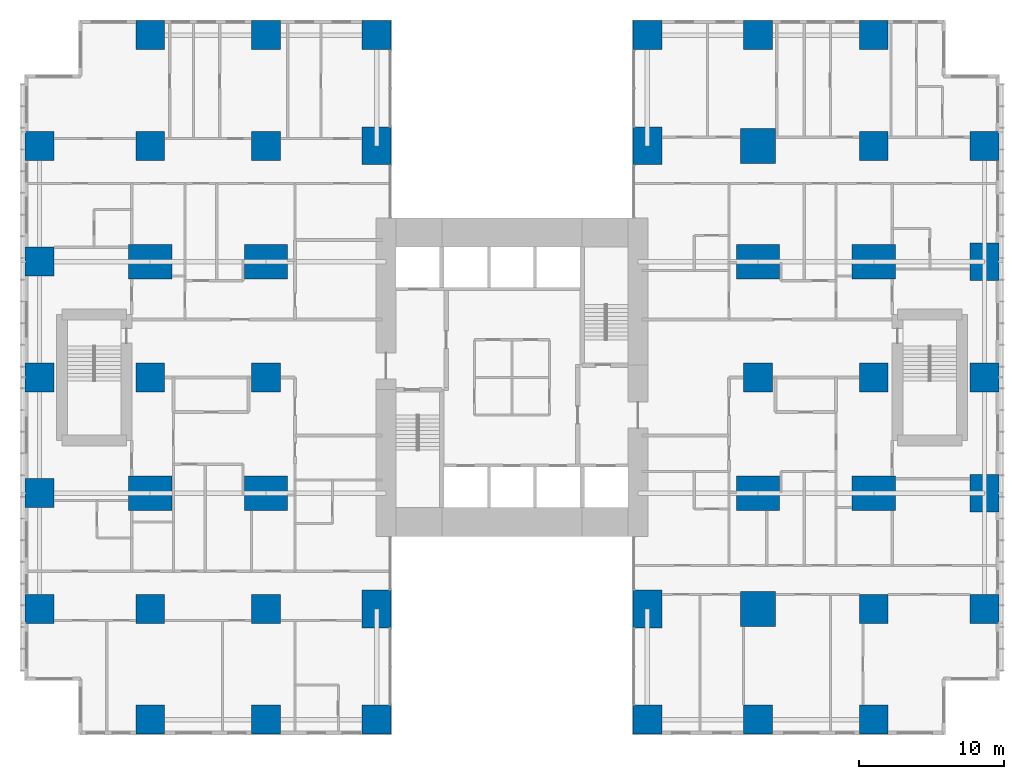
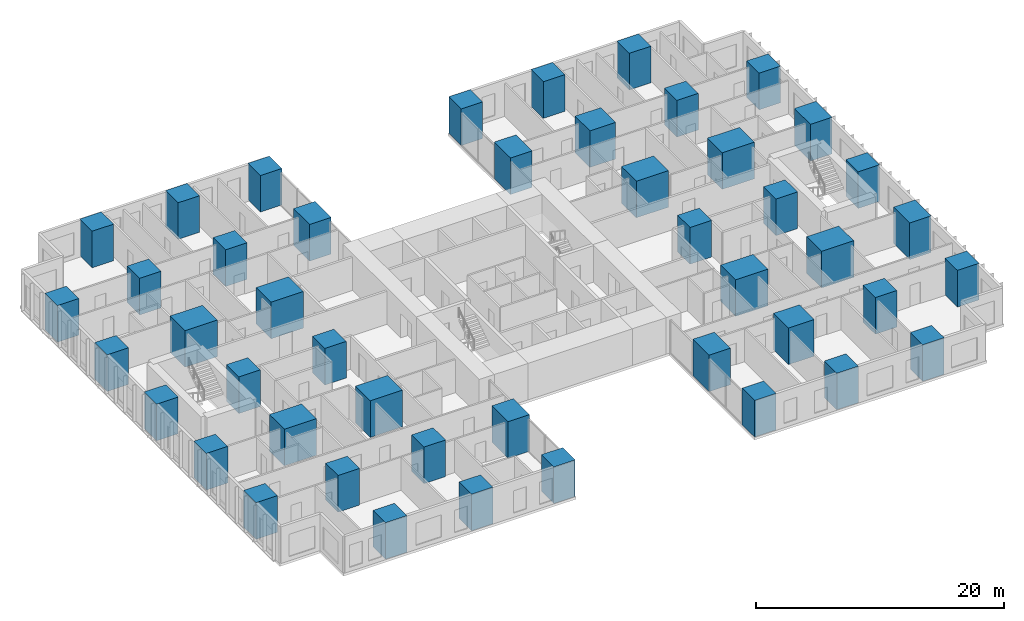
# One storey, part 1 of 20: 46 columns.
"""IFC4 building model written with IfcOpenShell, lengths in metres."""

import ifcopenshell
import ifcopenshell.guid

model = None  # the IFC model being written
_history = None  # IfcOwnerHistory: only IFC2X3 demands one
_inside = {}  # id of a spatial element -> (the spatial element, [elements in it])
_under = {}  # id of a project, library or spatial element -> (it, [spatial elements below it])
_declared = {}  # id of a project -> (the project, [libraries it declares])
_typed = {}  # id of a type object -> (the type object, [elements of that type])
_made_of = {}  # id of a material, layer set ... -> (it, [elements and type objects made of it])


def new_model(schema):
    """Start an empty IFC model of exactly this schema.

    Asked for "IFC4X3", IfcOpenShell would pick the latest addendum, in which some entities
    have other attributes; the version numbers below select the first issue.
    IFC2X3 requires an IfcOwnerHistory on every rooted entity: one is made here for all.
    """
    global model, _history
    if schema == "IFC4X3":
        model = ifcopenshell.file(schema_version=(4, 3, 0, 0))
    else:
        model = ifcopenshell.file(schema=schema)
    _inside.clear()
    _under.clear()
    _declared.clear()
    _typed.clear()
    _made_of.clear()
    _history = None
    if model.schema == "IFC2X3":
        org = make("IfcOrganization", Name="unknown")
        user = make(
            "IfcPersonAndOrganization",
            ThePerson=make("IfcPerson", FamilyName="unknown"),
            TheOrganization=org,
        )
        app = make(
            "IfcApplication",
            ApplicationDeveloper=org,
            Version="unknown",
            ApplicationFullName="unknown",
            ApplicationIdentifier="unknown",
        )
        _history = make(
            "IfcOwnerHistory",
            OwningUser=user,
            OwningApplication=app,
            ChangeAction="ADDED",
            CreationDate=0,
        )
    return model


def make(cls, **values):
    """One entity of the class cls with the attributes given. An attribute that is None is left unset."""
    return model.create_entity(
        cls, **{name: value for name, value in values.items() if value is not None}
    )


def rooted(cls, **values):
    """An entity with a GlobalId (a new one), such as an element, a storey or a relation."""
    return make(cls, GlobalId=ifcopenshell.guid.new(), OwnerHistory=_history, **values)


def si_unit(unit_type, name, prefix=None):
    """IfcSIUnit, for example si_unit("LENGTHUNIT", "METRE", prefix="MILLI")."""
    return make("IfcSIUnit", UnitType=unit_type, Prefix=prefix, Name=name)


def assignment(units):
    """IfcUnitAssignment: the units of a project."""
    return None if units is None else make("IfcUnitAssignment", Units=units)


def point(xyz):
    """IfcCartesianPoint."""
    return None if xyz is None else make("IfcCartesianPoint", Coordinates=xyz)


def direction(xyz):
    """IfcDirection."""
    return None if xyz is None else make("IfcDirection", DirectionRatios=xyz)


def frame(location, z_axis=None, x_axis=None):
    """IfcAxis2Placement3D, a coordinate frame: its origin and axes. An axis left out is left unset."""
    return make(
        "IfcAxis2Placement3D",
        Location=point(location),
        Axis=direction(z_axis),
        RefDirection=direction(x_axis),
    )


def frame_2d(location, x_axis=None):
    """IfcAxis2Placement2D, a coordinate frame in the plane: its origin and x axis."""
    return make(
        "IfcAxis2Placement2D", Location=point(location), RefDirection=direction(x_axis)
    )


def origin():
    """The frame at (0, 0, 0) with its axes left unset."""
    return frame((0.0, 0.0, 0.0))


def origin_2d():
    """The frame at (0, 0) in the plane with its x axis left unset."""
    return frame_2d((0.0, 0.0))


def place(relative_to, where):
    """IfcLocalPlacement: puts the frame where relative to a parent placement (None: the world)."""
    return make(
        "IfcLocalPlacement", PlacementRelTo=relative_to, RelativePlacement=where
    )


def context(
    kind, dimensions, precision=None, world=None, true_north=None, identifier=None
):
    """IfcGeometricRepresentationContext, for example the 3D "Model" context."""
    return make(
        "IfcGeometricRepresentationContext",
        ContextIdentifier=identifier,
        ContextType=kind,
        CoordinateSpaceDimension=dimensions,
        Precision=precision,
        WorldCoordinateSystem=world,
        TrueNorth=true_north,
    )


def subcontext(parent, identifier, kind, view, scale=None):
    """IfcGeometricRepresentationSubContext, for example "Body" below "Model"."""
    return make(
        "IfcGeometricRepresentationSubContext",
        ContextIdentifier=identifier,
        ContextType=kind,
        ParentContext=parent,
        TargetScale=scale,
        TargetView=view,
    )


def project(units=None, contexts=None):
    """IfcProject with its units and contexts."""
    return rooted(
        "IfcProject",
        Name="project",
        RepresentationContexts=contexts,
        UnitsInContext=assignment(units),
    )


def spatial(cls, under=None, at=None, **own):
    """A site, building, storey or space (cls), placed at a placement, below another one or the project."""
    s = rooted(cls, ObjectPlacement=at, **own)
    if under is not None:
        _under.setdefault(under.id(), (under, []))[1].append(s)
    return s


def profile(cls, at=None, kind="AREA", **sizes):
    """A parametric profile (cls). Its sizes go by their IFC names, for example OverallWidth=200.0."""
    return make(cls, ProfileType=kind, Position=at, **sizes)


def rectangle(**sizes):
    """IfcRectangleProfileDef."""
    return profile("IfcRectangleProfileDef", **sizes)


def extrude(swept, where, along, depth):
    """IfcExtrudedAreaSolid: the profile swept, set in the frame where, extruded along a direction by depth."""
    return make(
        "IfcExtrudedAreaSolid",
        SweptArea=swept,
        Position=where,
        ExtrudedDirection=direction(along),
        Depth=depth,
    )


def shape(context_of_items, identifier, shape_type, items):
    """IfcShapeRepresentation: the items that make up one representation, for example the "Body"."""
    return make(
        "IfcShapeRepresentation",
        ContextOfItems=context_of_items,
        RepresentationIdentifier=identifier,
        RepresentationType=shape_type,
        Items=items,
    )


def material(Name=None, Category=None):
    """IfcMaterial."""
    return make("IfcMaterial", Name=Name, Category=Category)


def material_profile(
    of_material, cross_section, Name=None, Category=None, Priority=None
):
    """IfcMaterialProfile: a cross section and its material."""
    return make(
        "IfcMaterialProfile",
        Name=Name,
        Material=of_material,
        Profile=cross_section,
        Priority=Priority,
        Category=Category,
    )


def profile_set(profiles, Name=None, composite=None):
    """IfcMaterialProfileSet."""
    return make(
        "IfcMaterialProfileSet",
        Name=Name,
        MaterialProfiles=profiles,
        CompositeProfile=composite,
    )


def made_of(thing, what):
    """Note that an element or type object is made of a material, layer set ...; save() writes the relation."""
    if what is not None:
        _made_of.setdefault(what.id(), (what, []))[1].append(thing)
    return thing


def type_object(cls, material=None, **own):
    """A type object (cls), such as IfcWallType, which elements share."""
    return made_of(rooted(cls, **own), material)


def element(
    cls,
    number,
    at=None,
    inside=None,
    cuts=None,
    type_object=None,
    material=None,
    context=None,
    identifier="Body",
    shape_type=None,
    held_by="IfcProductDefinitionShape",
    body=None,
    shapes=None,
    **own,
):
    """One element of the class cls, such as IfcWall. Its Tag is "e" and its number.

    at: its placement. inside: the storey or other place that contains it. cuts: it is an
    opening in that element (IfcRelVoidsElement). A single representation is given by context,
    identifier, shape_type and body (its items); several are given by shapes. held_by: the class
    of the entity that holds the representations. save() writes the other relations.
    """
    e = rooted(cls, Tag="e%d" % number, ObjectPlacement=at, **own)
    if body is not None:
        shapes = [shape(context, identifier, shape_type, body)]
    if shapes is not None:
        e.Representation = make(held_by, Representations=shapes)
    if inside is not None:
        _inside.setdefault(inside.id(), (inside, []))[1].append(e)
    if cuts is not None:
        rooted(
            "IfcRelVoidsElement", RelatingBuildingElement=cuts, RelatedOpeningElement=e
        )
    if type_object is not None:
        _typed.setdefault(type_object.id(), (type_object, []))[1].append(e)
    return made_of(e, material)


def aggregate(whole, parts):
    """IfcRelAggregates: a whole, such as a stair, and the parts it consists of."""
    return rooted("IfcRelAggregates", RelatingObject=whole, RelatedObjects=parts)


def save(model, path):
    """Write the relations noted so far, then the file.

    IfcRelAggregates (storeys below a building ...), IfcRelContainedInSpatialStructure (elements
    in a storey), IfcRelDefinesByType, IfcRelAssociatesMaterial and IfcRelDeclares: one each for
    every whole, place, type object, material and project.
    """
    for whole, parts in _under.values():
        aggregate(whole, parts)
    for where, things in _inside.values():
        rooted(
            "IfcRelContainedInSpatialStructure",
            RelatedElements=things,
            RelatingStructure=where,
        )
    for kind, things in _typed.values():
        rooted("IfcRelDefinesByType", RelatedObjects=things, RelatingType=kind)
    for what, things in _made_of.values():
        rooted("IfcRelAssociatesMaterial", RelatedObjects=things, RelatingMaterial=what)
    for by, libraries in _declared.values():
        rooted("IfcRelDeclares", RelatingContext=by, RelatedDefinitions=libraries)
    model.write(path)


model = new_model("IFC4")

# Units and contexts
model_context = context("Model", 3, precision=1e-05, world=origin(), true_north=direction((0.0, 1.0)))
body_context = subcontext(model_context, "Body", "Model", "MODEL_VIEW")
ifc_project = project(units=[si_unit("LENGTHUNIT", "METRE"), si_unit("AREAUNIT", "SQUARE_METRE"), si_unit("VOLUMEUNIT", "CUBIC_METRE"), si_unit("PLANEANGLEUNIT", "RADIAN"), si_unit("MASSUNIT", "GRAM", prefix="KILO")], contexts=[model_context])

# Site, building, storey
site_placement = place(None, origin())
site = spatial("IfcSite", under=ifc_project, at=site_placement, CompositionType="ELEMENT")
building_placement = place(site_placement, origin())
building = spatial("IfcBuilding", under=site, at=building_placement, Name="Cleftline Residences", CompositionType="ELEMENT")
storey_placement = place(building_placement, frame((0.0, 0.0, 168.199951171875)))
storey = spatial("IfcBuildingStorey", under=building, at=storey_placement, Name="L44", CompositionType="ELEMENT", Elevation=168.199951171875)

# Columns
ifc_material_1 = material(Name="Concrete B70", Category="concrete")
ifc_material_profile_1 = material_profile(ifc_material_1, rectangle(XDim=2.0, YDim=2.0, at=origin_2d()))
ifc_profile_set_1 = profile_set([ifc_material_profile_1], Name="Concrete B70")
column_type_1 = type_object("IfcColumnType", Name="COLUMN RC2000X2000", PredefinedType="COLUMN", material=ifc_profile_set_1)
for number, where, z_axis, x_axis, name in (
    (1, (0.35009765625, 8.0, 0.0), (0.0, 0.0, 1.0), (1.0, 0.0, 0.0), "Column D/3"),
    (2, (0.35009765625, 16.0, 0.0), (0.0, 0.0, 1.0), (1.0, 0.0, 0.0), "Column E/3"),
    (3, (0.35009765625, 24.0, 0.0), (0.0, 0.0, 1.0), (1.0, 0.0, 0.0), "Column F/3"),
    (4, (0.35009765625, 32.0, 0.0), (0.0, 0.0, 1.0), (1.0, 0.0, 0.0), "Column G/3"),
    (5, (0.35009765625, 40.0, 0.0), (0.0, 0.0, 1.0), (1.0, 0.0, 0.0), "Column H/3"),
    (6, (8.0, 0.35009765625, 0.0), (0.0, 0.0, 1.0), (1.0, 0.0, 0.0), "Column C/4"),
    (7, (8.0, 8.0, 0.0), (0.0, 0.0, 1.0), (1.0, 0.0, 0.0), "Column D/4"),
    (8, (8.0, 24.0, 0.0), (0.0, 0.0, 1.0), (1.0, 0.0, 0.0), "Column F/4"),
    (9, (8.0, 40.0, 0.0), (0.0, 0.0, 1.0), (1.0, 0.0, 0.0), "Column H/4"),
    (10, (8.0, 47.64990234375, 0.0), (0.0, 0.0, 1.0), (1.0, 0.0, 0.0), "Column J/4"),
    (11, (16.0, 0.35009765625, 0.0), (0.0, 0.0, 1.0), (1.0, 0.0, 0.0), "Column C/5"),
    (12, (16.0, 8.0, 0.0), (0.0, 0.0, 1.0), (1.0, 0.0, 0.0), "Column D/5"),
    (13, (16.0, 24.0, 0.0), (0.0, 0.0, 1.0), (1.0, 0.0, 0.0), "Column F/5"),
    (14, (16.0, 40.0, 0.0), (0.0, 0.0, 1.0), (1.0, 0.0, 0.0), "Column H/5"),
    (15, (16.0, 47.64990234375, 0.0), (0.0, 0.0, 1.0), (1.0, 0.0, 0.0), "Column J/5"),
    (16, (23.64990234375, 0.35009765625, 0.0), (0.0, 0.0, 1.0), (1.0, 0.0, 0.0), "Column C/6"),
    (17, (23.64990234375, 47.64990234375, 0.0), (0.0, 0.0, 1.0), (1.0, 0.0, 0.0), "Column J/6"),
    (18, (42.35009765625, 0.35009765625, 0.0), (0.0, 0.0, 1.0), (1.0, 0.0, 0.0), "Column C/8"),
    (19, (42.35009765625, 47.64990234375, 0.0), (0.0, 0.0, 1.0), (1.0, 0.0, 0.0), "Column J/8"),
    (20, (50.0, 0.35009765625, 0.0), (0.0, 0.0, 1.0), (1.0, 0.0, 0.0), "Column C/9"),
    (21, (50.0, 24.0, 0.0), (0.0, 0.0, 1.0), (1.0, 0.0, 0.0), "Column F/9"),
    (22, (50.0, 47.64990234375, 0.0), (0.0, 0.0, 1.0), (1.0, 0.0, 0.0), "Column J/9"),
    (23, (58.0, 0.35009765625, 0.0), (0.0, 0.0, 1.0), (1.0, 0.0, 0.0), "Column C/10"),
    (24, (58.0, 8.0, 0.0), (0.0, 0.0, 1.0), (1.0, 0.0, 0.0), "Column D/10"),
    (25, (58.0, 24.0, 0.0), (0.0, 0.0, 1.0), (1.0, 0.0, 0.0), "Column F/10"),
    (26, (58.0, 40.0, 0.0), (0.0, 0.0, 1.0), (1.0, 0.0, 0.0), "Column H/10"),
    (27, (58.0, 47.64990234375, 0.0), (0.0, 0.0, 1.0), (1.0, 0.0, 0.0), "Column J/10"),
    (28, (65.64990234375, 8.0, 0.0), (0.0, 0.0, 1.0), (1.0, 0.0, 0.0), "Column D/11"),
    (29, (65.64990234375, 24.0, 0.0), (0.0, 0.0, 1.0), (1.0, 0.0, 0.0), "Column F/11"),
    (30, (65.64990234375, 40.0, 0.0), (0.0, 0.0, 1.0), (1.0, 0.0, 0.0), "Column H/11"),
):
    element("IfcColumn", number, at=place(storey_placement, frame(where, z_axis=z_axis, x_axis=x_axis)), inside=storey, type_object=column_type_1, Name=name, PredefinedType="COLUMN", context=body_context, shape_type="SweptSolid", body=[
        extrude(rectangle(XDim=2.0, YDim=2.0, at=origin_2d()), origin(), (0.0, 0.0, 1.0), 3.60009765625),
    ])
ifc_material_2 = material(Name="Concrete B70", Category="concrete")
ifc_material_profile_2 = material_profile(ifc_material_2, rectangle(XDim=2.0, YDim=2.60009765625, at=origin_2d()))
ifc_profile_set_2 = profile_set([ifc_material_profile_2], Name="Concrete B70")
column_type_2 = type_object("IfcColumnType", Name="COLUMN RC2000X2600", PredefinedType="COLUMN", material=ifc_profile_set_2)
for number, where, z_axis, x_axis, name in (
    (31, (23.64990234375, 8.0, 0.0), (0.0, 0.0, 1.0), (1.0, 0.0, 0.0), "Column D/6"),
    (32, (23.64990234375, 40.0, 0.0), (0.0, 0.0, 1.0), (1.0, 0.0, 0.0), "Column H/6"),
    (33, (42.35009765625, 8.0, 0.0), (0.0, 0.0, 1.0), (1.0, 0.0, 0.0), "Column D/8"),
    (34, (42.35009765625, 40.0, 0.0), (0.0, 0.0, 1.0), (1.0, 0.0, 0.0), "Column H/8"),
):
    element("IfcColumn", number, at=place(storey_placement, frame(where, z_axis=z_axis, x_axis=x_axis)), inside=storey, type_object=column_type_2, Name=name, PredefinedType="COLUMN", context=body_context, shape_type="SweptSolid", body=[
        extrude(rectangle(XDim=2.0, YDim=2.60009765625, at=origin_2d()), origin(), (0.0, 0.0, 1.0), 3.60009765625),
    ])
ifc_material_3 = material(Name="Concrete B70", Category="concrete")
ifc_material_profile_3 = material_profile(ifc_material_3, rectangle(XDim=2.39990234375, YDim=2.39990234375, at=origin_2d()))
ifc_profile_set_3 = profile_set([ifc_material_profile_3], Name="Concrete B70")
column_type_3 = type_object("IfcColumnType", Name="COLUMN RC2400X2400", PredefinedType="COLUMN", material=ifc_profile_set_3)
for number, where, z_axis, x_axis, name in (
    (35, (50.0, 8.0, 0.0), (0.0, 0.0, 1.0), (1.0, 0.0, 0.0), "Column D/9"),
    (36, (50.0, 40.0, 0.0), (0.0, 0.0, 1.0), (1.0, 0.0, 0.0), "Column H/9"),
):
    element("IfcColumn", number, at=place(storey_placement, frame(where, z_axis=z_axis, x_axis=x_axis)), inside=storey, type_object=column_type_3, Name=name, PredefinedType="COLUMN", context=body_context, shape_type="SweptSolid", body=[
        extrude(rectangle(XDim=2.39990234375, YDim=2.39990234375, at=origin_2d()), origin(), (0.0, 0.0, 1.0), 3.60009765625),
    ])
ifc_material_4 = material(Name="Concrete B70", Category="concrete")
ifc_material_profile_4 = material_profile(ifc_material_4, rectangle(XDim=2.60009765625, YDim=2.0, at=origin_2d()))
ifc_profile_set_4 = profile_set([ifc_material_profile_4], Name="Concrete B70")
column_type_4 = type_object("IfcColumnType", Name="COLUMN RC2600X2000", PredefinedType="COLUMN", material=ifc_profile_set_4)
for number, where, z_axis, x_axis, name in (
    (37, (65.64990234375, 16.0, 0.0), (0.0, 0.0, 1.0), (0.0, 1.0, 0.0), "Column E/11"),
    (38, (65.64990234375, 32.0, 0.0), (0.0, 0.0, 1.0), (0.0, 1.0, 0.0), "Column G/11"),
):
    element("IfcColumn", number, at=place(storey_placement, frame(where, z_axis=z_axis, x_axis=x_axis)), inside=storey, type_object=column_type_4, Name=name, PredefinedType="COLUMN", context=body_context, shape_type="SweptSolid", body=[
        extrude(rectangle(XDim=2.60009765625, YDim=2.0, at=origin_2d()), origin(), (0.0, 0.0, 1.0), 3.60009765625),
    ])
ifc_material_5 = material(Name="Concrete B70", Category="concrete")
ifc_material_profile_5 = material_profile(ifc_material_5, rectangle(XDim=3.0, YDim=2.39990234375, at=origin_2d()))
ifc_profile_set_5 = profile_set([ifc_material_profile_5], Name="Concrete B70")
column_type_5 = type_object("IfcColumnType", Name="COLUMN RC3000X2400", PredefinedType="COLUMN", material=ifc_profile_set_5)
for number, where, z_axis, x_axis, name in (
    (39, (8.0, 16.0, 0.0), (0.0, 0.0, 1.0), (1.0, 0.0, 0.0), "Column E/4"),
    (40, (8.0, 32.0, 0.0), (0.0, 0.0, 1.0), (1.0, 0.0, 0.0), "Column G/4"),
    (41, (16.0, 16.0, 0.0), (0.0, 0.0, 1.0), (1.0, 0.0, 0.0), "Column E/5"),
    (42, (16.0, 32.0, 0.0), (0.0, 0.0, 1.0), (1.0, 0.0, 0.0), "Column G/5"),
    (43, (50.0, 16.0, 0.0), (0.0, 0.0, 1.0), (1.0, 0.0, 0.0), "Column E/9"),
    (44, (50.0, 32.0, 0.0), (0.0, 0.0, 1.0), (1.0, 0.0, 0.0), "Column G/9"),
    (45, (58.0, 16.0, 0.0), (0.0, 0.0, 1.0), (1.0, 0.0, 0.0), "Column E/10"),
    (46, (58.0, 32.0, 0.0), (0.0, 0.0, 1.0), (1.0, 0.0, 0.0), "Column G/10"),
):
    element("IfcColumn", number, at=place(storey_placement, frame(where, z_axis=z_axis, x_axis=x_axis)), inside=storey, type_object=column_type_5, Name=name, PredefinedType="COLUMN", context=body_context, shape_type="SweptSolid", body=[
        extrude(rectangle(XDim=3.0, YDim=2.39990234375, at=origin_2d()), origin(), (0.0, 0.0, 1.0), 3.60009765625),
    ])

save(model, "model.ifc")
